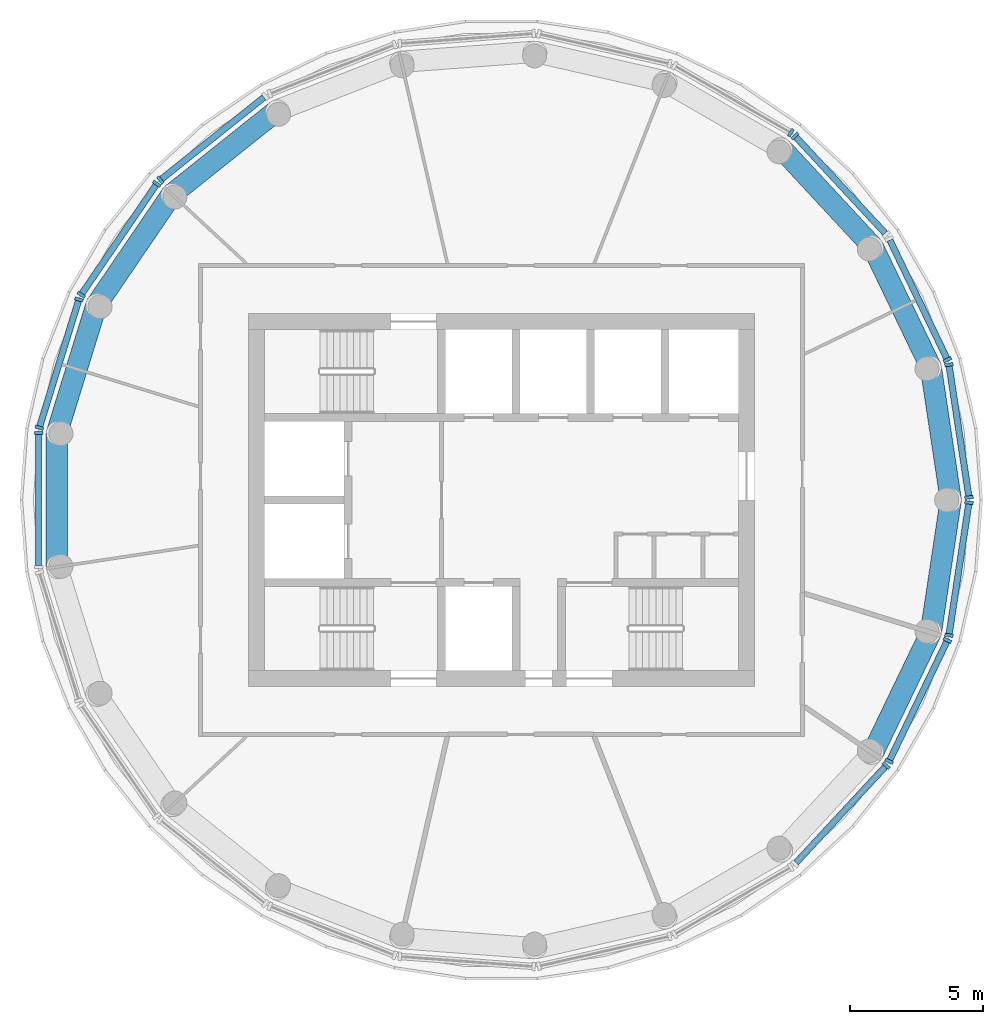
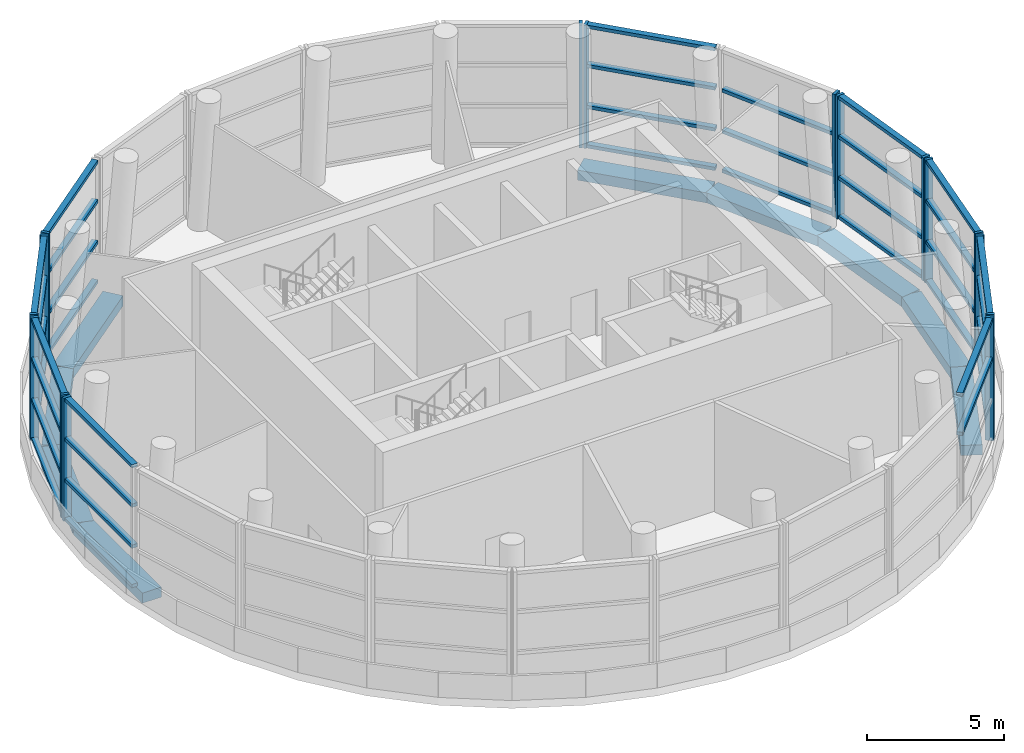
# One storey, part 2 of 10: 53 members, 9 beams, 11 elements without a shape of their own.
"""IFC4 building model written with IfcOpenShell, lengths in metres."""

from ifc_helpers import new_model, si_unit, direction, frame, origin, origin_2d, place, context, subcontext, project, spatial, rectangle, extrude, material, material_profile, profile_set, type_object, element, aggregate, save


model = new_model("IFC4")

# Units and contexts
model_context = context("Model", 3, precision=1e-05, world=origin(), true_north=direction((0.0, 1.0)))
body_context = subcontext(model_context, "Body", "Model", "MODEL_VIEW")
ifc_project = project(units=[si_unit("LENGTHUNIT", "METRE"), si_unit("AREAUNIT", "SQUARE_METRE"), si_unit("VOLUMEUNIT", "CUBIC_METRE"), si_unit("PLANEANGLEUNIT", "RADIAN"), si_unit("MASSUNIT", "GRAM", prefix="KILO")], contexts=[model_context])

# Site, building, storey
site_placement = place(None, origin())
site = spatial("IfcSite", under=ifc_project, at=site_placement, CompositionType="ELEMENT")
building_placement = place(site_placement, origin())
building = spatial("IfcBuilding", under=site, at=building_placement, Name="Tracery Tower", CompositionType="ELEMENT")
storey_placement = place(building_placement, frame((0.0, 0.0, 352.199951171875)))
storey = spatial("IfcBuildingStorey", under=building, at=storey_placement, Name="L90", CompositionType="ELEMENT", Elevation=352.199951171875)

# Curtain wall, members
ifc_material_1 = material(Name="Aluminium curtain wall with tinted glass", Category="aluminium")
curtain_wall_type = type_object("IfcCurtainWallType", Name="Observation upper deck glazing curtain wall", PredefinedType="NOTDEFINED", material=ifc_material_1)
curtain_wall_1_placement = place(storey_placement, origin())
curtain_wall_1 = element("IfcCurtainWall", 1, at=curtain_wall_1_placement, inside=storey, type_object=curtain_wall_type, Name="Observation upper deck glazing run 00", PredefinedType="NOTDEFINED")
ifc_material_2 = material(Name="Aluminium, bronze anodised", Category="aluminium")
ifc_material_profile_1 = material_profile(ifc_material_2, rectangle(XDim=0.320068359375, YDim=0.1201171875, at=origin_2d()), Name="Observation upper deck glazing mullion 120 x 320")
ifc_profile_set_1 = profile_set([ifc_material_profile_1], Name="Aluminium, bronze anodised")
member_type_1 = type_object("IfcMemberType", Name="Observation upper deck glazing mullion 120 x 320", PredefinedType="MULLION", material=ifc_profile_set_1)
member_1_placement = place(storey_placement, frame((17.557373046875, 0.098876953125, 0.0), z_axis=(0.0, 0.0, 1.0), x_axis=(-0.988832155804, -0.149033444728, 0.0)))
member_1 = element("IfcMember", 2, at=member_1_placement, type_object=member_type_1, Name="CWB5 mullion 1", PredefinedType="MULLION", context=body_context, shape_type="SweptSolid", body=[
    extrude(rectangle(XDim=0.320068359375, YDim=0.1201171875, at=origin_2d()), origin(), (0.0, 0.0, 1.0), 5.5),
])
member_2_placement = place(storey_placement, frame((16.806396484375, 5.08056640625, 0.0), z_axis=(0.0, 0.0, 1.0), x_axis=(-0.988832155804, -0.149033444728, 0.0)))
member_2 = element("IfcMember", 3, at=member_2_placement, type_object=member_type_1, Name="CWB5 mullion 2", PredefinedType="MULLION", context=body_context, shape_type="SweptSolid", body=[
    extrude(rectangle(XDim=0.320068359375, YDim=0.1201171875, at=origin_2d()), origin(), (0.0, 0.0, 1.0), 5.5),
])

# Curtain wall, member
curtain_wall_2_placement = place(storey_placement, origin())
curtain_wall_2 = element("IfcCurtainWall", 4, at=curtain_wall_2_placement, inside=storey, type_object=curtain_wall_type, Name="Observation upper deck glazing run 01", PredefinedType="NOTDEFINED")
member_3_placement = place(storey_placement, frame((16.748046875, 5.26953125, 0.0), z_axis=(0.0, 0.0, 1.0), x_axis=(-0.900966864704, -0.433887898778, 0.0)))
member_3 = element("IfcMember", 5, at=member_3_placement, type_object=member_type_1, Name="CWB5 mullion 1", PredefinedType="MULLION", context=body_context, shape_type="SweptSolid", body=[
    extrude(rectangle(XDim=0.320068359375, YDim=0.1201171875, at=origin_2d()), origin(), (0.0, 0.0, 1.0), 5.5),
])

curtain_wall_3_placement = place(storey_placement, origin())
curtain_wall_3 = element("IfcCurtainWall", 6, at=curtain_wall_3_placement, inside=storey, type_object=curtain_wall_type, Name="Observation upper deck glazing run 02", PredefinedType="NOTDEFINED")
member_4_placement = place(storey_placement, frame((11.024169921875, 13.665283203125, 0.0), z_axis=(0.0, 0.0, 1.0), x_axis=(-0.733056521048, -0.680167727071, 0.0)))
member_4 = element("IfcMember", 7, at=member_4_placement, type_object=member_type_1, Name="CWB5 mullion 2", PredefinedType="MULLION", context=body_context, shape_type="SweptSolid", body=[
    extrude(rectangle(XDim=0.320068359375, YDim=0.1201171875, at=origin_2d()), origin(), (0.0, 0.0, 1.0), 5.5),
])

curtain_wall_4_placement = place(storey_placement, origin())
curtain_wall_4 = element("IfcCurtainWall", 8, at=curtain_wall_4_placement, inside=storey, type_object=curtain_wall_type, Name="Observation upper deck glazing run 03", PredefinedType="NOTDEFINED")
member_5_placement = place(storey_placement, frame((10.869384765625, 13.78857421875, 0.0), z_axis=(0.0, 0.0, 1.0), x_axis=(-0.500004955821, -0.866022542521, 0.0)))
member_5 = element("IfcMember", 9, at=member_5_placement, type_object=member_type_1, Name="CWB5 mullion 1", PredefinedType="MULLION", context=body_context, shape_type="SweptSolid", body=[
    extrude(rectangle(XDim=0.320068359375, YDim=0.1201171875, at=origin_2d()), origin(), (0.0, 0.0, 1.0), 5.5),
])
aggregate(curtain_wall_4, [member_5])

curtain_wall_5_placement = place(storey_placement, origin())
curtain_wall_5 = element("IfcCurtainWall", 10, at=curtain_wall_5_placement, inside=storey, type_object=curtain_wall_type, Name="Observation upper deck glazing run 07", PredefinedType="NOTDEFINED")
member_6_placement = place(storey_placement, frame((-12.80322265625, 12.014404296875, 0.0), z_axis=(0.0, 0.0, 1.0), x_axis=(0.623481395418, -0.781838186307, 0.0)))
member_6 = element("IfcMember", 11, at=member_6_placement, type_object=member_type_1, Name="CWB5 mullion 2", PredefinedType="MULLION", context=body_context, shape_type="SweptSolid", body=[
    extrude(rectangle(XDim=0.320068359375, YDim=0.1201171875, at=origin_2d()), origin(), (0.0, 0.0, 1.0), 5.5),
])

# Curtain wall, members
curtain_wall_6_placement = place(storey_placement, origin())
curtain_wall_6 = element("IfcCurtainWall", 12, at=curtain_wall_6_placement, inside=storey, type_object=curtain_wall_type, Name="Observation upper deck glazing run 08", PredefinedType="NOTDEFINED")
member_7_placement = place(storey_placement, frame((-12.937744140625, 11.86962890625, 0.0), z_axis=(0.0, 0.0, 1.0), x_axis=(0.826242928802, -0.563313964504, 0.0)))
member_7 = element("IfcMember", 13, at=member_7_placement, type_object=member_type_1, Name="CWB5 mullion 1", PredefinedType="MULLION", context=body_context, shape_type="SweptSolid", body=[
    extrude(rectangle(XDim=0.320068359375, YDim=0.1201171875, at=origin_2d()), origin(), (0.0, 0.0, 1.0), 5.5),
])
member_8_placement = place(storey_placement, frame((-15.775634765625, 7.706787109375, 0.0), z_axis=(0.0, 0.0, 1.0), x_axis=(0.826242928802, -0.563313964504, 0.0)))
member_8 = element("IfcMember", 14, at=member_8_placement, type_object=member_type_1, Name="CWB5 mullion 2", PredefinedType="MULLION", context=body_context, shape_type="SweptSolid", body=[
    extrude(rectangle(XDim=0.320068359375, YDim=0.1201171875, at=origin_2d()), origin(), (0.0, 0.0, 1.0), 5.5),
])

curtain_wall_7_placement = place(storey_placement, origin())
curtain_wall_7 = element("IfcCurtainWall", 15, at=curtain_wall_7_placement, inside=storey, type_object=curtain_wall_type, Name="Observation upper deck glazing run 09", PredefinedType="NOTDEFINED")
member_9_placement = place(storey_placement, frame((-15.861572265625, 7.52880859375, 0.0), z_axis=(0.0, 0.0, 1.0), x_axis=(0.95557631684, -0.294743791615, 0.0)))
member_9 = element("IfcMember", 16, at=member_9_placement, type_object=member_type_1, Name="CWB5 mullion 1", PredefinedType="MULLION", context=body_context, shape_type="SweptSolid", body=[
    extrude(rectangle(XDim=0.320068359375, YDim=0.1201171875, at=origin_2d()), origin(), (0.0, 0.0, 1.0), 5.5),
])
member_10_placement = place(storey_placement, frame((-17.346435546875, 2.714599609375, 0.0), z_axis=(0.0, 0.0, 1.0), x_axis=(0.95557631684, -0.294743791615, 0.0)))
member_10 = element("IfcMember", 17, at=member_10_placement, type_object=member_type_1, Name="CWB5 mullion 2", PredefinedType="MULLION", context=body_context, shape_type="SweptSolid", body=[
    extrude(rectangle(XDim=0.320068359375, YDim=0.1201171875, at=origin_2d()), origin(), (0.0, 0.0, 1.0), 5.5),
])

# Curtain wall, member
curtain_wall_8_placement = place(storey_placement, origin())
curtain_wall_8 = element("IfcCurtainWall", 18, at=curtain_wall_8_placement, inside=storey, type_object=curtain_wall_type, Name="Observation upper deck glazing run 10", PredefinedType="NOTDEFINED")
member_11_placement = place(storey_placement, frame((-17.3759765625, 2.51904296875, 0.0), z_axis=(0.0, 0.0, 1.0), x_axis=(1.0, 0.0, 0.0)))
member_11 = element("IfcMember", 19, at=member_11_placement, type_object=member_type_1, Name="CWB5 mullion 1", PredefinedType="MULLION", context=body_context, shape_type="SweptSolid", body=[
    extrude(rectangle(XDim=0.320068359375, YDim=0.1201171875, at=origin_2d()), origin(), (0.0, 0.0, 1.0), 5.5),
])

curtain_wall_9_placement = place(storey_placement, origin())
curtain_wall_9 = element("IfcCurtainWall", 20, at=curtain_wall_9_placement, inside=storey, type_object=curtain_wall_type, Name="Observation upper deck glazing run 18", PredefinedType="NOTDEFINED")
member_12_placement = place(storey_placement, frame((14.45068359375, -9.97216796875, 0.0), z_axis=(0.0, 0.0, 1.0), x_axis=(-0.733056521048, 0.680167727071, 0.0)))
member_12 = element("IfcMember", 21, at=member_12_placement, type_object=member_type_1, Name="CWB5 mullion 2", PredefinedType="MULLION", context=body_context, shape_type="SweptSolid", body=[
    extrude(rectangle(XDim=0.320068359375, YDim=0.1201171875, at=origin_2d()), origin(), (0.0, 0.0, 1.0), 5.5),
])

# Curtain wall, members
curtain_wall_10_placement = place(storey_placement, origin())
curtain_wall_10 = element("IfcCurtainWall", 22, at=curtain_wall_10_placement, inside=storey, type_object=curtain_wall_type, Name="Observation upper deck glazing run 19", PredefinedType="NOTDEFINED")
member_13_placement = place(storey_placement, frame((14.562255859375, -9.80859375, 0.0), z_axis=(0.0, 0.0, 1.0), x_axis=(-0.900966864704, 0.433887898778, 0.0)))
member_13 = element("IfcMember", 23, at=member_13_placement, type_object=member_type_1, Name="CWB5 mullion 1", PredefinedType="MULLION", context=body_context, shape_type="SweptSolid", body=[
    extrude(rectangle(XDim=0.320068359375, YDim=0.1201171875, at=origin_2d()), origin(), (0.0, 0.0, 1.0), 5.5),
])
member_14_placement = place(storey_placement, frame((16.748046875, -5.26953125, 0.0), z_axis=(0.0, 0.0, 1.0), x_axis=(-0.900966864704, 0.433887898778, 0.0)))
member_14 = element("IfcMember", 24, at=member_14_placement, type_object=member_type_1, Name="CWB5 mullion 2", PredefinedType="MULLION", context=body_context, shape_type="SweptSolid", body=[
    extrude(rectangle(XDim=0.320068359375, YDim=0.1201171875, at=origin_2d()), origin(), (0.0, 0.0, 1.0), 5.5),
])

curtain_wall_11_placement = place(storey_placement, origin())
curtain_wall_11 = element("IfcCurtainWall", 25, at=curtain_wall_11_placement, inside=storey, type_object=curtain_wall_type, Name="Observation upper deck glazing run 20", PredefinedType="NOTDEFINED")
member_15_placement = place(storey_placement, frame((16.806396484375, -5.08056640625, 0.0), z_axis=(0.0, 0.0, 1.0), x_axis=(-0.988832155804, 0.149033444728, 0.0)))
member_15 = element("IfcMember", 26, at=member_15_placement, type_object=member_type_1, Name="CWB5 mullion 1", PredefinedType="MULLION", context=body_context, shape_type="SweptSolid", body=[
    extrude(rectangle(XDim=0.320068359375, YDim=0.1201171875, at=origin_2d()), origin(), (0.0, 0.0, 1.0), 5.5),
])
member_16_placement = place(storey_placement, frame((17.557373046875, -0.098876953125, 0.0), z_axis=(0.0, 0.0, 1.0), x_axis=(-0.988832155804, 0.149033444728, 0.0)))
member_16 = element("IfcMember", 27, at=member_16_placement, type_object=member_type_1, Name="CWB5 mullion 2", PredefinedType="MULLION", context=body_context, shape_type="SweptSolid", body=[
    extrude(rectangle(XDim=0.320068359375, YDim=0.1201171875, at=origin_2d()), origin(), (0.0, 0.0, 1.0), 5.5),
])

# Member
ifc_material_3 = material(Name="Aluminium, bronze anodised", Category="aluminium")
ifc_material_profile_2 = material_profile(ifc_material_3, rectangle(XDim=0.239990234375, YDim=0.14990234375, at=origin_2d()), Name="Observation upper deck glazing transom 150 x 240")
ifc_profile_set_2 = profile_set([ifc_material_profile_2], Name="Aluminium, bronze anodised")
member_type_2 = type_object("IfcMemberType", Name="Observation upper deck glazing transom 150 x 240", PredefinedType="USERDEFINED", material=ifc_profile_set_2)
member_17_placement = place(storey_placement, frame((17.54833984375, 0.158203125, 0.074951171875), z_axis=(-0.149027404222, 0.98883306619, 0.0), x_axis=(-0.98883306619, -0.149027404222, 0.0)))
member_17 = element("IfcMember", 28, at=member_17_placement, type_object=member_type_2, Name="CWB5 transom 1.1", ObjectType="TRANSOM", PredefinedType="USERDEFINED", context=body_context, shape_type="SweptSolid", body=[
    extrude(rectangle(XDim=0.239990234375, YDim=0.14990234375, at=origin_2d()), origin(), (0.0, 0.0, 1.0), 4.91796875),
])

member_18_placement = place(storey_placement, frame((17.54833984375, 0.158203125, 1.833251953125), z_axis=(-0.149027404222, 0.98883306619, 0.0), x_axis=(-0.98883306619, -0.149027404222, 0.0)))
member_18 = element("IfcMember", 29, at=member_18_placement, type_object=member_type_2, Name="CWB5 transom 1.2", ObjectType="TRANSOM", PredefinedType="USERDEFINED", context=body_context, shape_type="SweptSolid", body=[
    extrude(rectangle(XDim=0.239990234375, YDim=0.14990234375, at=origin_2d()), origin(), (0.0, 0.0, 1.0), 4.91796875),
])

member_19_placement = place(storey_placement, frame((17.54833984375, 0.158203125, 3.666748046875), z_axis=(-0.149027404222, 0.98883306619, 0.0), x_axis=(-0.98883306619, -0.149027404222, 0.0)))
member_19 = element("IfcMember", 30, at=member_19_placement, type_object=member_type_2, Name="CWB5 transom 1.3", ObjectType="TRANSOM", PredefinedType="USERDEFINED", context=body_context, shape_type="SweptSolid", body=[
    extrude(rectangle(XDim=0.239990234375, YDim=0.14990234375, at=origin_2d()), origin(), (0.0, 0.0, 1.0), 4.91796875),
])

member_20_placement = place(storey_placement, frame((17.54833984375, 0.158203125, 5.425048828125), z_axis=(-0.149027404222, 0.98883306619, 0.0), x_axis=(-0.98883306619, -0.149027404222, 0.0)))
member_20 = element("IfcMember", 31, at=member_20_placement, type_object=member_type_2, Name="CWB5 transom 1.4", ObjectType="TRANSOM", PredefinedType="USERDEFINED", context=body_context, shape_type="SweptSolid", body=[
    extrude(rectangle(XDim=0.239990234375, YDim=0.14990234375, at=origin_2d()), origin(), (0.0, 0.0, 1.0), 4.91796875),
])

aggregate(curtain_wall_1, [member_1, member_2, member_17, member_18, member_19, member_20])

member_21_placement = place(storey_placement, frame((16.72216796875, 5.32373046875, 0.074951171875), z_axis=(-0.433879799766, 0.900970764983, 0.0), x_axis=(-0.900970764983, -0.433879799766, 0.0)))
member_21 = element("IfcMember", 32, at=member_21_placement, type_object=member_type_2, Name="CWB5 transom 1.1", ObjectType="TRANSOM", PredefinedType="USERDEFINED", context=body_context, shape_type="SweptSolid", body=[
    extrude(rectangle(XDim=0.239990234375, YDim=0.14990234375, at=origin_2d()), origin(), (0.0, 0.0, 1.0), 4.91796875),
])

member_22_placement = place(storey_placement, frame((16.72216796875, 5.32373046875, 1.833251953125), z_axis=(-0.433879799766, 0.900970764983, 0.0), x_axis=(-0.900970764983, -0.433879799766, 0.0)))
member_22 = element("IfcMember", 33, at=member_22_placement, type_object=member_type_2, Name="CWB5 transom 1.2", ObjectType="TRANSOM", PredefinedType="USERDEFINED", context=body_context, shape_type="SweptSolid", body=[
    extrude(rectangle(XDim=0.239990234375, YDim=0.14990234375, at=origin_2d()), origin(), (0.0, 0.0, 1.0), 4.91796875),
])

member_23_placement = place(storey_placement, frame((16.72216796875, 5.32373046875, 3.666748046875), z_axis=(-0.433879799766, 0.900970764983, 0.0), x_axis=(-0.900970764983, -0.433879799766, 0.0)))
member_23 = element("IfcMember", 34, at=member_23_placement, type_object=member_type_2, Name="CWB5 transom 1.3", ObjectType="TRANSOM", PredefinedType="USERDEFINED", context=body_context, shape_type="SweptSolid", body=[
    extrude(rectangle(XDim=0.239990234375, YDim=0.14990234375, at=origin_2d()), origin(), (0.0, 0.0, 1.0), 4.91796875),
])

aggregate(curtain_wall_2, [member_3, member_21, member_22, member_23])

member_24_placement = place(storey_placement, frame((14.409912109375, 10.01611328125, 0.074951171875), z_axis=(-0.6801520996, 0.733071020713, 0.0), x_axis=(-0.733071020713, -0.6801520996, 0.0)))
member_24 = element("IfcMember", 35, at=member_24_placement, type_object=member_type_2, Name="CWB5 transom 1.1", ObjectType="TRANSOM", PredefinedType="USERDEFINED", context=body_context, shape_type="SweptSolid", body=[
    extrude(rectangle(XDim=0.239990234375, YDim=0.14990234375, at=origin_2d()), origin(), (0.0, 0.0, 1.0), 4.91796875),
])

member_25_placement = place(storey_placement, frame((14.409912109375, 10.01611328125, 1.833251953125), z_axis=(-0.6801520996, 0.733071020713, 0.0), x_axis=(-0.733071020713, -0.6801520996, 0.0)))
member_25 = element("IfcMember", 36, at=member_25_placement, type_object=member_type_2, Name="CWB5 transom 1.2", ObjectType="TRANSOM", PredefinedType="USERDEFINED", context=body_context, shape_type="SweptSolid", body=[
    extrude(rectangle(XDim=0.239990234375, YDim=0.14990234375, at=origin_2d()), origin(), (0.0, 0.0, 1.0), 4.91796875),
])

member_26_placement = place(storey_placement, frame((14.409912109375, 10.01611328125, 3.666748046875), z_axis=(-0.6801520996, 0.733071020713, 0.0), x_axis=(-0.733071020713, -0.6801520996, 0.0)))
member_26 = element("IfcMember", 37, at=member_26_placement, type_object=member_type_2, Name="CWB5 transom 1.3", ObjectType="TRANSOM", PredefinedType="USERDEFINED", context=body_context, shape_type="SweptSolid", body=[
    extrude(rectangle(XDim=0.239990234375, YDim=0.14990234375, at=origin_2d()), origin(), (0.0, 0.0, 1.0), 4.91796875),
])

member_27_placement = place(storey_placement, frame((14.409912109375, 10.01611328125, 5.425048828125), z_axis=(-0.6801520996, 0.733071020713, 0.0), x_axis=(-0.733071020713, -0.6801520996, 0.0)))
member_27 = element("IfcMember", 38, at=member_27_placement, type_object=member_type_2, Name="CWB5 transom 1.4", ObjectType="TRANSOM", PredefinedType="USERDEFINED", context=body_context, shape_type="SweptSolid", body=[
    extrude(rectangle(XDim=0.239990234375, YDim=0.14990234375, at=origin_2d()), origin(), (0.0, 0.0, 1.0), 4.91796875),
])

aggregate(curtain_wall_3, [member_4, member_24, member_25, member_26, member_27])

member_28_placement = place(storey_placement, frame((-8.9111328125, 15.1181640625, 0.074951171875), z_axis=(-0.781860662168, -0.623453209916, 0.0), x_axis=(0.623453209916, -0.781860662168, 0.0)))
member_28 = element("IfcMember", 39, at=member_28_placement, type_object=member_type_2, Name="CWB5 transom 1.1", ObjectType="TRANSOM", PredefinedType="USERDEFINED", context=body_context, shape_type="SweptSolid", body=[
    extrude(rectangle(XDim=0.239990234375, YDim=0.14990234375, at=origin_2d()), origin(), (0.0, 0.0, 1.0), 4.91796875),
])

member_29_placement = place(storey_placement, frame((-8.9111328125, 15.1181640625, 1.833251953125), z_axis=(-0.781860662168, -0.623453209916, 0.0), x_axis=(0.623453209916, -0.781860662168, 0.0)))
member_29 = element("IfcMember", 40, at=member_29_placement, type_object=member_type_2, Name="CWB5 transom 1.2", ObjectType="TRANSOM", PredefinedType="USERDEFINED", context=body_context, shape_type="SweptSolid", body=[
    extrude(rectangle(XDim=0.239990234375, YDim=0.14990234375, at=origin_2d()), origin(), (0.0, 0.0, 1.0), 4.91796875),
])

member_30_placement = place(storey_placement, frame((-8.9111328125, 15.1181640625, 3.666748046875), z_axis=(-0.781860662168, -0.623453209916, 0.0), x_axis=(0.623453209916, -0.781860662168, 0.0)))
member_30 = element("IfcMember", 41, at=member_30_placement, type_object=member_type_2, Name="CWB5 transom 1.3", ObjectType="TRANSOM", PredefinedType="USERDEFINED", context=body_context, shape_type="SweptSolid", body=[
    extrude(rectangle(XDim=0.239990234375, YDim=0.14990234375, at=origin_2d()), origin(), (0.0, 0.0, 1.0), 4.91796875),
])

member_31_placement = place(storey_placement, frame((-8.9111328125, 15.1181640625, 5.425048828125), z_axis=(-0.781860662168, -0.623453209916, 0.0), x_axis=(0.623453209916, -0.781860662168, 0.0)))
member_31 = element("IfcMember", 42, at=member_31_placement, type_object=member_type_2, Name="CWB5 transom 1.4", ObjectType="TRANSOM", PredefinedType="USERDEFINED", context=body_context, shape_type="SweptSolid", body=[
    extrude(rectangle(XDim=0.239990234375, YDim=0.14990234375, at=origin_2d()), origin(), (0.0, 0.0, 1.0), 4.91796875),
])

aggregate(curtain_wall_5, [member_6, member_28, member_29, member_30, member_31])

member_32_placement = place(storey_placement, frame((-12.971435546875, 11.820068359375, 0.074951171875), z_axis=(-0.563307558765, -0.826247296055, 0.0), x_axis=(0.826247296055, -0.563307558765, 0.0)))
member_32 = element("IfcMember", 43, at=member_32_placement, type_object=member_type_2, Name="CWB5 transom 1.1", ObjectType="TRANSOM", PredefinedType="USERDEFINED", context=body_context, shape_type="SweptSolid", body=[
    extrude(rectangle(XDim=0.239990234375, YDim=0.14990234375, at=origin_2d()), origin(), (0.0, 0.0, 1.0), 4.918212890625),
])

member_33_placement = place(storey_placement, frame((-12.971435546875, 11.820068359375, 1.833251953125), z_axis=(-0.563307558765, -0.826247296055, 0.0), x_axis=(0.826247296055, -0.563307558765, 0.0)))
member_33 = element("IfcMember", 44, at=member_33_placement, type_object=member_type_2, Name="CWB5 transom 1.2", ObjectType="TRANSOM", PredefinedType="USERDEFINED", context=body_context, shape_type="SweptSolid", body=[
    extrude(rectangle(XDim=0.239990234375, YDim=0.14990234375, at=origin_2d()), origin(), (0.0, 0.0, 1.0), 4.918212890625),
])

member_34_placement = place(storey_placement, frame((-12.971435546875, 11.820068359375, 3.666748046875), z_axis=(-0.563307558765, -0.826247296055, 0.0), x_axis=(0.826247296055, -0.563307558765, 0.0)))
member_34 = element("IfcMember", 45, at=member_34_placement, type_object=member_type_2, Name="CWB5 transom 1.3", ObjectType="TRANSOM", PredefinedType="USERDEFINED", context=body_context, shape_type="SweptSolid", body=[
    extrude(rectangle(XDim=0.239990234375, YDim=0.14990234375, at=origin_2d()), origin(), (0.0, 0.0, 1.0), 4.918212890625),
])

member_35_placement = place(storey_placement, frame((-12.971435546875, 11.820068359375, 5.425048828125), z_axis=(-0.563307558765, -0.826247296055, 0.0), x_axis=(0.826247296055, -0.563307558765, 0.0)))
member_35 = element("IfcMember", 46, at=member_35_placement, type_object=member_type_2, Name="CWB5 transom 1.4", ObjectType="TRANSOM", PredefinedType="USERDEFINED", context=body_context, shape_type="SweptSolid", body=[
    extrude(rectangle(XDim=0.239990234375, YDim=0.14990234375, at=origin_2d()), origin(), (0.0, 0.0, 1.0), 4.918212890625),
])

aggregate(curtain_wall_6, [member_7, member_8, member_32, member_33, member_34, member_35])

member_36_placement = place(storey_placement, frame((-15.879150390625, 7.471435546875, 0.074951171875), z_axis=(-0.294731142224, -0.955580218403, 0.0), x_axis=(0.955580218403, -0.294731142224, 0.0)))
member_36 = element("IfcMember", 47, at=member_36_placement, type_object=member_type_2, Name="CWB5 transom 1.1", ObjectType="TRANSOM", PredefinedType="USERDEFINED", context=body_context, shape_type="SweptSolid", body=[
    extrude(rectangle(XDim=0.239990234375, YDim=0.14990234375, at=origin_2d()), origin(), (0.0, 0.0, 1.0), 4.91796875),
])

member_37_placement = place(storey_placement, frame((-15.879150390625, 7.471435546875, 1.833251953125), z_axis=(-0.294731142224, -0.955580218403, 0.0), x_axis=(0.955580218403, -0.294731142224, 0.0)))
member_37 = element("IfcMember", 48, at=member_37_placement, type_object=member_type_2, Name="CWB5 transom 1.2", ObjectType="TRANSOM", PredefinedType="USERDEFINED", context=body_context, shape_type="SweptSolid", body=[
    extrude(rectangle(XDim=0.239990234375, YDim=0.14990234375, at=origin_2d()), origin(), (0.0, 0.0, 1.0), 4.91796875),
])

member_38_placement = place(storey_placement, frame((-15.879150390625, 7.471435546875, 3.666748046875), z_axis=(-0.294731142224, -0.955580218403, 0.0), x_axis=(0.955580218403, -0.294731142224, 0.0)))
member_38 = element("IfcMember", 49, at=member_38_placement, type_object=member_type_2, Name="CWB5 transom 1.3", ObjectType="TRANSOM", PredefinedType="USERDEFINED", context=body_context, shape_type="SweptSolid", body=[
    extrude(rectangle(XDim=0.239990234375, YDim=0.14990234375, at=origin_2d()), origin(), (0.0, 0.0, 1.0), 4.91796875),
])

member_39_placement = place(storey_placement, frame((-15.879150390625, 7.471435546875, 5.425048828125), z_axis=(-0.294731142224, -0.955580218403, 0.0), x_axis=(0.955580218403, -0.294731142224, 0.0)))
member_39 = element("IfcMember", 50, at=member_39_placement, type_object=member_type_2, Name="CWB5 transom 1.4", ObjectType="TRANSOM", PredefinedType="USERDEFINED", context=body_context, shape_type="SweptSolid", body=[
    extrude(rectangle(XDim=0.239990234375, YDim=0.14990234375, at=origin_2d()), origin(), (0.0, 0.0, 1.0), 4.91796875),
])

aggregate(curtain_wall_7, [member_9, member_10, member_36, member_37, member_38, member_39])

member_40_placement = place(storey_placement, frame((-17.3759765625, 2.458984375, 0.074951171875), z_axis=(0.0, -1.0, 0.0), x_axis=(1.0, 0.0, 0.0)))
member_40 = element("IfcMember", 51, at=member_40_placement, type_object=member_type_2, Name="CWB5 transom 1.1", ObjectType="TRANSOM", PredefinedType="USERDEFINED", context=body_context, shape_type="SweptSolid", body=[
    extrude(rectangle(XDim=0.239990234375, YDim=0.14990234375, at=origin_2d()), origin(), (0.0, 0.0, 1.0), 4.91796875),
])

member_41_placement = place(storey_placement, frame((-17.3759765625, 2.458984375, 1.833251953125), z_axis=(0.0, -1.0, 0.0), x_axis=(1.0, 0.0, 0.0)))
member_41 = element("IfcMember", 52, at=member_41_placement, type_object=member_type_2, Name="CWB5 transom 1.2", ObjectType="TRANSOM", PredefinedType="USERDEFINED", context=body_context, shape_type="SweptSolid", body=[
    extrude(rectangle(XDim=0.239990234375, YDim=0.14990234375, at=origin_2d()), origin(), (0.0, 0.0, 1.0), 4.91796875),
])

member_42_placement = place(storey_placement, frame((-17.3759765625, 2.458984375, 3.666748046875), z_axis=(0.0, -1.0, 0.0), x_axis=(1.0, 0.0, 0.0)))
member_42 = element("IfcMember", 53, at=member_42_placement, type_object=member_type_2, Name="CWB5 transom 1.3", ObjectType="TRANSOM", PredefinedType="USERDEFINED", context=body_context, shape_type="SweptSolid", body=[
    extrude(rectangle(XDim=0.239990234375, YDim=0.14990234375, at=origin_2d()), origin(), (0.0, 0.0, 1.0), 4.91796875),
])

member_43_placement = place(storey_placement, frame((-17.3759765625, 2.458984375, 5.425048828125), z_axis=(0.0, -1.0, 0.0), x_axis=(1.0, 0.0, 0.0)))
member_43 = element("IfcMember", 54, at=member_43_placement, type_object=member_type_2, Name="CWB5 transom 1.4", ObjectType="TRANSOM", PredefinedType="USERDEFINED", context=body_context, shape_type="SweptSolid", body=[
    extrude(rectangle(XDim=0.239990234375, YDim=0.14990234375, at=origin_2d()), origin(), (0.0, 0.0, 1.0), 4.91796875),
])

aggregate(curtain_wall_8, [member_11, member_40, member_41, member_42, member_43])

member_44_placement = place(storey_placement, frame((11.06494140625, -13.621337890625, 3.666748046875), z_axis=(0.6801520996, 0.733071020713, 0.0), x_axis=(-0.733071020713, 0.6801520996, 0.0)))
member_44 = element("IfcMember", 55, at=member_44_placement, type_object=member_type_2, Name="CWB5 transom 1.3", ObjectType="TRANSOM", PredefinedType="USERDEFINED", context=body_context, shape_type="SweptSolid", body=[
    extrude(rectangle(XDim=0.239990234375, YDim=0.14990234375, at=origin_2d()), origin(), (0.0, 0.0, 1.0), 4.91796875),
])

member_45_placement = place(storey_placement, frame((11.06494140625, -13.621337890625, 5.425048828125), z_axis=(0.6801520996, 0.733071020713, 0.0), x_axis=(-0.733071020713, 0.6801520996, 0.0)))
member_45 = element("IfcMember", 56, at=member_45_placement, type_object=member_type_2, Name="CWB5 transom 1.4", ObjectType="TRANSOM", PredefinedType="USERDEFINED", context=body_context, shape_type="SweptSolid", body=[
    extrude(rectangle(XDim=0.239990234375, YDim=0.14990234375, at=origin_2d()), origin(), (0.0, 0.0, 1.0), 4.91796875),
])

aggregate(curtain_wall_9, [member_12, member_44, member_45])

member_46_placement = place(storey_placement, frame((14.58837890625, -9.754638671875, 0.074951171875), z_axis=(0.433879799766, 0.900970764983, 0.0), x_axis=(-0.900970764983, 0.433879799766, 0.0)))
member_46 = element("IfcMember", 57, at=member_46_placement, type_object=member_type_2, Name="CWB5 transom 1.1", ObjectType="TRANSOM", PredefinedType="USERDEFINED", context=body_context, shape_type="SweptSolid", body=[
    extrude(rectangle(XDim=0.239990234375, YDim=0.14990234375, at=origin_2d()), origin(), (0.0, 0.0, 1.0), 4.91796875),
])

member_47_placement = place(storey_placement, frame((14.58837890625, -9.754638671875, 1.833251953125), z_axis=(0.433879799766, 0.900970764983, 0.0), x_axis=(-0.900970764983, 0.433879799766, 0.0)))
member_47 = element("IfcMember", 58, at=member_47_placement, type_object=member_type_2, Name="CWB5 transom 1.2", ObjectType="TRANSOM", PredefinedType="USERDEFINED", context=body_context, shape_type="SweptSolid", body=[
    extrude(rectangle(XDim=0.239990234375, YDim=0.14990234375, at=origin_2d()), origin(), (0.0, 0.0, 1.0), 4.91796875),
])

member_48_placement = place(storey_placement, frame((14.58837890625, -9.754638671875, 3.666748046875), z_axis=(0.433879799766, 0.900970764983, 0.0), x_axis=(-0.900970764983, 0.433879799766, 0.0)))
member_48 = element("IfcMember", 59, at=member_48_placement, type_object=member_type_2, Name="CWB5 transom 1.3", ObjectType="TRANSOM", PredefinedType="USERDEFINED", context=body_context, shape_type="SweptSolid", body=[
    extrude(rectangle(XDim=0.239990234375, YDim=0.14990234375, at=origin_2d()), origin(), (0.0, 0.0, 1.0), 4.91796875),
])

member_49_placement = place(storey_placement, frame((14.58837890625, -9.754638671875, 5.425048828125), z_axis=(0.433879799766, 0.900970764983, 0.0), x_axis=(-0.900970764983, 0.433879799766, 0.0)))
member_49 = element("IfcMember", 60, at=member_49_placement, type_object=member_type_2, Name="CWB5 transom 1.4", ObjectType="TRANSOM", PredefinedType="USERDEFINED", context=body_context, shape_type="SweptSolid", body=[
    extrude(rectangle(XDim=0.239990234375, YDim=0.14990234375, at=origin_2d()), origin(), (0.0, 0.0, 1.0), 4.91796875),
])

aggregate(curtain_wall_10, [member_13, member_14, member_46, member_47, member_48, member_49])

member_50_placement = place(storey_placement, frame((16.8154296875, -5.021240234375, 0.074951171875), z_axis=(0.149027404222, 0.98883306619, 0.0), x_axis=(-0.98883306619, 0.149027404222, 0.0)))
member_50 = element("IfcMember", 61, at=member_50_placement, type_object=member_type_2, Name="CWB5 transom 1.1", ObjectType="TRANSOM", PredefinedType="USERDEFINED", context=body_context, shape_type="SweptSolid", body=[
    extrude(rectangle(XDim=0.239990234375, YDim=0.14990234375, at=origin_2d()), origin(), (0.0, 0.0, 1.0), 4.91796875),
])

member_51_placement = place(storey_placement, frame((16.8154296875, -5.021240234375, 1.833251953125), z_axis=(0.149027404222, 0.98883306619, 0.0), x_axis=(-0.98883306619, 0.149027404222, 0.0)))
member_51 = element("IfcMember", 62, at=member_51_placement, type_object=member_type_2, Name="CWB5 transom 1.2", ObjectType="TRANSOM", PredefinedType="USERDEFINED", context=body_context, shape_type="SweptSolid", body=[
    extrude(rectangle(XDim=0.239990234375, YDim=0.14990234375, at=origin_2d()), origin(), (0.0, 0.0, 1.0), 4.91796875),
])

member_52_placement = place(storey_placement, frame((16.8154296875, -5.021240234375, 3.666748046875), z_axis=(0.149027404222, 0.98883306619, 0.0), x_axis=(-0.98883306619, 0.149027404222, 0.0)))
member_52 = element("IfcMember", 63, at=member_52_placement, type_object=member_type_2, Name="CWB5 transom 1.3", ObjectType="TRANSOM", PredefinedType="USERDEFINED", context=body_context, shape_type="SweptSolid", body=[
    extrude(rectangle(XDim=0.239990234375, YDim=0.14990234375, at=origin_2d()), origin(), (0.0, 0.0, 1.0), 4.91796875),
])

member_53_placement = place(storey_placement, frame((16.8154296875, -5.021240234375, 5.425048828125), z_axis=(0.149027404222, 0.98883306619, 0.0), x_axis=(-0.98883306619, 0.149027404222, 0.0)))
member_53 = element("IfcMember", 64, at=member_53_placement, type_object=member_type_2, Name="CWB5 transom 1.4", ObjectType="TRANSOM", PredefinedType="USERDEFINED", context=body_context, shape_type="SweptSolid", body=[
    extrude(rectangle(XDim=0.239990234375, YDim=0.14990234375, at=origin_2d()), origin(), (0.0, 0.0, 1.0), 4.91796875),
])

aggregate(curtain_wall_11, [member_15, member_16, member_50, member_51, member_52, member_53])

# Beams
ifc_material_4 = material(Name="Concrete C40/50", Category="concrete")
ifc_material_profile_3 = material_profile(ifc_material_4, rectangle(XDim=0.800048828125, YDim=0.449951171875, at=origin_2d()), Name="RC 800x450")
ifc_profile_set_3 = profile_set([ifc_material_profile_3], Name="Concrete C40/50")
beam_type = type_object("IfcBeamType", Name="Perimeter band beam 800x450", PredefinedType="BEAM", material=ifc_profile_set_3)
beam_1_placement = place(storey_placement, frame((16.87548828125, 0.0, -0.574951171875), z_axis=(-0.149047657397, 0.988830013614, 0.0), x_axis=(-0.988830013614, -0.149047657397, 0.0)))
element("IfcBeam", 65, at=beam_1_placement, inside=storey, type_object=beam_type, Name="Perimeter beam 2.00 under L90", PredefinedType="BEAM", context=body_context, shape_type="SweptSolid", body=[
    extrude(rectangle(XDim=0.800048828125, YDim=0.449951171875, at=origin_2d()), origin(), (0.0, 0.0, 1.0), 5.0302734375),
])
beam_2_placement = place(storey_placement, frame((16.125732421875, 4.97412109375, -0.574951171875), z_axis=(-0.433885660737, 0.900967942497, 0.0), x_axis=(-0.900967942497, -0.433885660737, 0.0)))
element("IfcBeam", 66, at=beam_2_placement, inside=storey, type_object=beam_type, Name="Perimeter beam 2.01 under L90", PredefinedType="BEAM", context=body_context, shape_type="SweptSolid", body=[
    extrude(rectangle(XDim=0.800048828125, YDim=0.449951171875, at=origin_2d()), origin(), (0.0, 0.0, 1.0), 5.030517578125),
])
beam_3_placement = place(storey_placement, frame((13.943115234375, 9.50634765625, -0.574951171875), z_axis=(-0.680184837307, 0.733040644915, 0.0), x_axis=(-0.733040644915, -0.680184837307, 0.0)))
element("IfcBeam", 67, at=beam_3_placement, inside=storey, type_object=beam_type, Name="Perimeter beam 2.02 under L90", PredefinedType="BEAM", context=body_context, shape_type="SweptSolid", body=[
    extrude(rectangle(XDim=0.800048828125, YDim=0.449951171875, at=origin_2d()), origin(), (0.0, 0.0, 1.0), 5.030029296875),
])
for number, where, z_axis, x_axis, name in (
    (68, (-8.437744140625, 14.614501953125, -0.574951171875), (-0.781843283871, -0.62347500308, 0.0), (0.62347500308, -0.781843283871, 0.0), "Perimeter beam 2.07 under L90"),
    (69, (-12.37060546875, 11.478271484375, -0.574951171875), (-0.56332778876, -0.826233503563, 0.0), (0.826233503563, -0.56332778876, 0.0), "Perimeter beam 2.08 under L90"),
    (70, (-15.204345703125, 7.322021484375, -0.574951171875), (-0.294743998415, -0.955576253053, 0.0), (0.955576253053, -0.294743998415, 0.0), "Perimeter beam 2.09 under L90"),
    (71, (-16.68701171875, 2.51513671875, -0.574951171875), (0.0, -1.0, 0.0), (1.0, 0.0, 0.0), "Perimeter beam 2.10 under L90"),
):
    element("IfcBeam", number, at=place(storey_placement, frame(where, z_axis=z_axis, x_axis=x_axis)), inside=storey, type_object=beam_type, Name=name, PredefinedType="BEAM", context=body_context, shape_type="SweptSolid", body=[
        extrude(rectangle(XDim=0.800048828125, YDim=0.449951171875, at=origin_2d()), origin(), (0.0, 0.0, 1.0), 5.0302734375),
    ])
beam_4_placement = place(storey_placement, frame((13.943115234375, -9.50634765625, -0.574951171875), z_axis=(0.433885660737, 0.900967942497, 0.0), x_axis=(-0.900967942497, 0.433885660737, 0.0)))
element("IfcBeam", 72, at=beam_4_placement, inside=storey, type_object=beam_type, Name="Perimeter beam 2.19 under L90", PredefinedType="BEAM", context=body_context, shape_type="SweptSolid", body=[
    extrude(rectangle(XDim=0.800048828125, YDim=0.449951171875, at=origin_2d()), origin(), (0.0, 0.0, 1.0), 5.030517578125),
])
beam_5_placement = place(storey_placement, frame((16.125732421875, -4.97412109375, -0.574951171875), z_axis=(0.149047657397, 0.988830013614, 0.0), x_axis=(-0.988830013614, 0.149047657397, 0.0)))
element("IfcBeam", 73, at=beam_5_placement, inside=storey, type_object=beam_type, Name="Perimeter beam 2.20 under L90", PredefinedType="BEAM", context=body_context, shape_type="SweptSolid", body=[
    extrude(rectangle(XDim=0.800048828125, YDim=0.449951171875, at=origin_2d()), origin(), (0.0, 0.0, 1.0), 5.0302734375),
])

save(model, "model.ifc")
